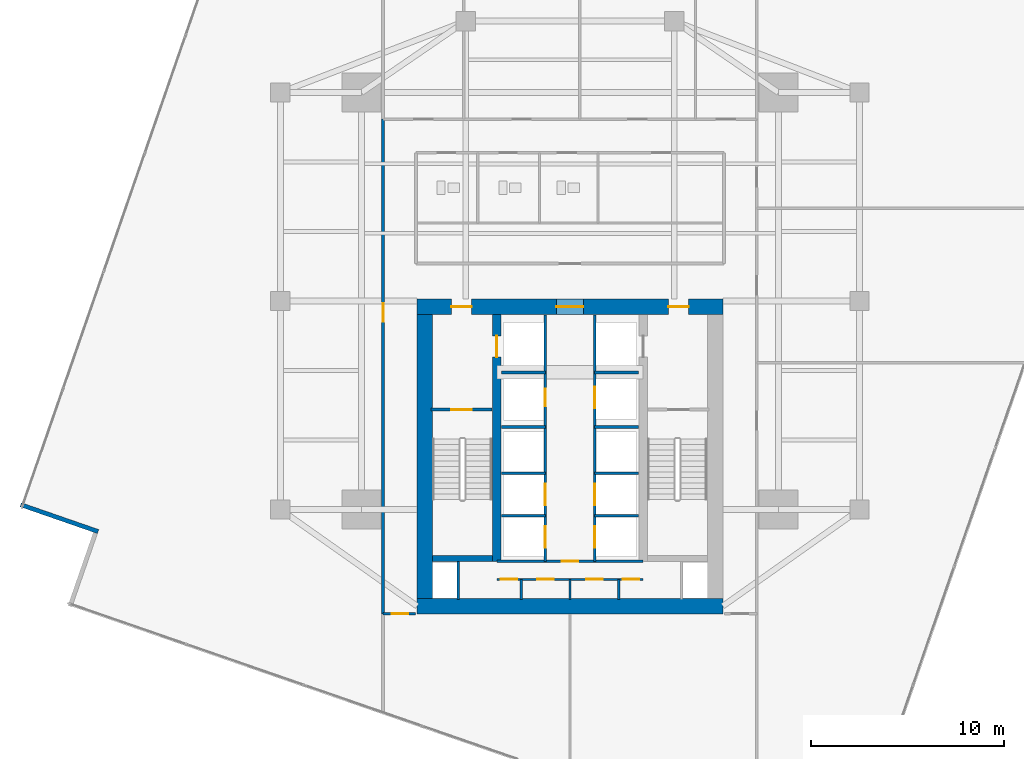
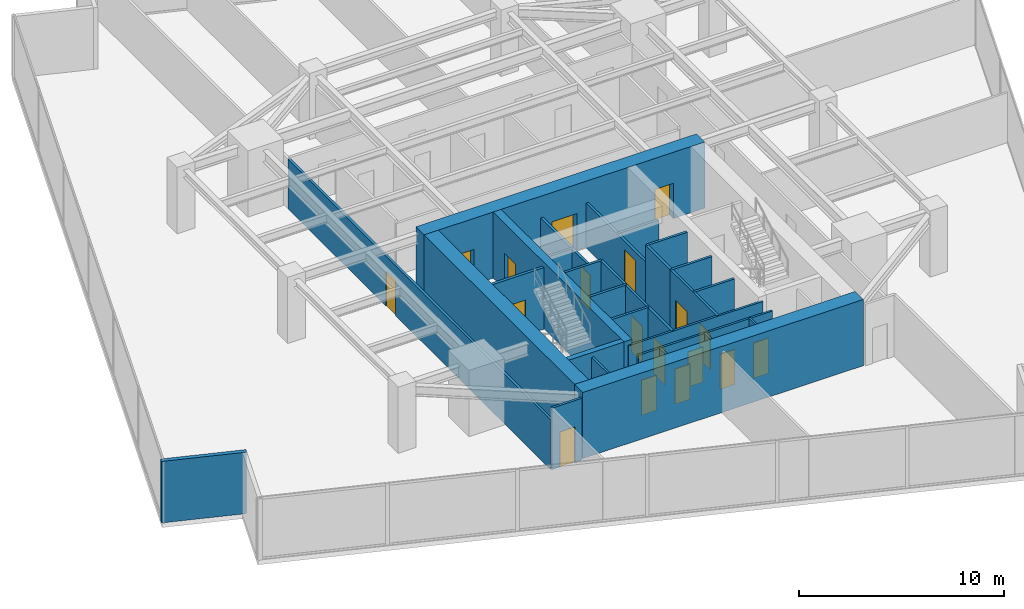
# One storey, part 23 of 27: 29 walls, 18 doors, 18 openings.
"""IFC4 building model written with IfcOpenShell, lengths in metres."""

from ifc_helpers import new_model, si_unit, direction, frame, frame_2d, origin, place, context, subcontext, project, spatial, rectangle, extrude, material, layer, layer_set, type_object, element, fill, save


model = new_model("IFC4")

# Units and contexts
model_context = context("Model", 3, precision=1e-05, world=origin(), true_north=direction((0.0, 1.0)))
body_context = subcontext(model_context, "Body", "Model", "MODEL_VIEW")
ifc_project = project(units=[si_unit("LENGTHUNIT", "METRE"), si_unit("AREAUNIT", "SQUARE_METRE"), si_unit("VOLUMEUNIT", "CUBIC_METRE"), si_unit("PLANEANGLEUNIT", "RADIAN"), si_unit("MASSUNIT", "GRAM", prefix="KILO")], contexts=[model_context])

# Site, building, storey
site_placement = place(None, origin())
site = spatial("IfcSite", under=ifc_project, at=site_placement, CompositionType="ELEMENT")
building_placement = place(site_placement, origin())
building = spatial("IfcBuilding", under=site, at=building_placement, Name="Krantzveldt Concourse Tower", CompositionType="ELEMENT")
storey_placement = place(building_placement, frame((0.0, 0.0, 125.60009765625)))
storey = spatial("IfcBuildingStorey", under=building, at=storey_placement, Name="L30", CompositionType="ELEMENT", Elevation=125.60009765625)

# Wall
ifc_material_1 = material(Name="Anodised aluminium 6063-T6", Category="aluminium")
ifc_layer_1 = layer(ifc_material_1, 0.219970703125, Name="Anodised aluminium 6063-T6", Category="aluminium")
ifc_layer_set_1 = layer_set([ifc_layer_1], Name="Anodised aluminium 6063-T6 (WL-EXT-NOTCH220)")
wall_type_1 = type_object("IfcWallType", Name="WL-EXT-NOTCH220", PredefinedType="ELEMENTEDWALL", material=ifc_layer_set_1)
wall_1_placement = place(storey_placement, frame((7.5478515625, 16.1494140625, 0.0), z_axis=(0.0, 0.0, 1.0), x_axis=(0.944801308279, -0.327643843028, 0.0)))
element("IfcWall", 1, at=wall_1_placement, inside=storey, type_object=wall_type_1, Name="EW-L30-NCH02", PredefinedType="ELEMENTEDWALL", context=body_context, shape_type="SweptSolid", body=[
    extrude(rectangle(XDim=4.2451171875, YDim=0.219970703125, at=frame_2d((2.12255859375, 0.0))), origin(), (0.0, 0.0, 1.0), 3.669921875),
])

# Wall, opening, door
ifc_material_2 = material(Name="Fire-rated gypsum plasterboard on steel stud", Category="steel")
ifc_layer_2 = layer(ifc_material_2, 0.1201171875, Name="Fire-rated gypsum plasterboard on steel stud", Category="steel")
ifc_layer_set_2 = layer_set([ifc_layer_2], Name="Fire-rated gypsum plasterboard on steel stud (WL-PART-120)")
wall_type_2 = type_object("IfcWallType", Name="WL-PART-120", PredefinedType="PARTITIONING", material=ifc_layer_set_2)
wall_2_placement = place(storey_placement, frame((32.2099609375, 13.219970703125, 0.0), z_axis=(0.0, 0.0, 1.0), x_axis=(1.0, 0.0, 0.0)))
wall_2 = element("IfcWall", 2, at=wall_2_placement, inside=storey, type_object=wall_type_2, Name="WP-L30-CS2H", PredefinedType="PARTITIONING", context=body_context, shape_type="SweptSolid", body=[
    extrude(rectangle(XDim=7.580078125, YDim=0.1201171875, at=frame_2d((3.7900390625, 0.0))), origin(), (0.0, 0.0, 1.0), 3.669921875),
])
opening_1_placement = place(wall_2_placement, frame((3.364990234375, 0.0, 0.0)))
opening_1 = element("IfcOpeningElement", 3, at=opening_1_placement, cuts=wall_2, Name="Opening D-IN085", PredefinedType="OPENING", context=body_context, shape_type="SweptSolid", body=[
    extrude(rectangle(XDim=0.85009765625, YDim=2.10009765625, at=frame_2d((0.425048828125, 1.050048828125))), frame((0.0, 0.070068359375, 0.0), z_axis=(0.0, -1.0, 0.0), x_axis=(1.0, 0.0, 0.0)), (0.0, 0.0, 1.0), 0.14013671875),
])
ifc_material_3 = material(Name="Hardwood timber", Category="wood")
door_type_1 = type_object("IfcDoorType", Name="DR-INT-850", OperationType="SINGLE_SWING_LEFT", PredefinedType="DOOR", material=ifc_material_3)
door_1_placement = place(opening_1_placement, origin())
door_1 = element("IfcDoor", 4, at=door_1_placement, inside=storey, type_object=door_type_1, Name="DR-L30-LLBS", OperationType="SINGLE_SWING_RIGHT", OverallHeight=2.10009765625, OverallWidth=0.85009765625, PredefinedType="DOOR", context=body_context, shape_type="SweptSolid", body=[
    extrude(rectangle(XDim=0.85009765625, YDim=2.10009765625, at=frame_2d((0.425048828125, 1.050048828125))), frame((0.0, 0.02490234375, 0.0), z_axis=(0.0, -1.0, 0.0), x_axis=(1.0, 0.0, 0.0)), (0.0, 0.0, 1.0), 0.050048828125),
])
fill(opening_1, door_1)

# Wall, openings, doors
wall_3_placement = place(storey_placement, frame((32.2099609375, 12.280029296875, 0.0), z_axis=(0.0, 0.0, 1.0), x_axis=(1.0, 0.0, 0.0)))
wall_3 = element("IfcWall", 5, at=wall_3_placement, inside=storey, type_object=wall_type_2, Name="WP-L30-CSD-HM", PredefinedType="PARTITIONING", context=body_context, shape_type="SweptSolid", body=[
    extrude(rectangle(XDim=7.580078125, YDim=0.1201171875, at=frame_2d((3.7900390625, 0.0))), origin(), (0.0, 0.0, 1.0), 3.669921875),
])
opening_2_placement = place(wall_3_placement, frame((0.205078125, 0.0, 0.0)))
opening_2 = element("IfcOpeningElement", 6, at=opening_2_placement, cuts=wall_3, Name="Opening D-IN085", PredefinedType="OPENING", context=body_context, shape_type="SweptSolid", body=[
    extrude(rectangle(XDim=0.85009765625, YDim=2.10009765625, at=frame_2d((0.425048828125, 1.050048828125))), frame((0.0, 0.070068359375, 0.0), z_axis=(0.0, -1.0, 0.0), x_axis=(1.0, 0.0, 0.0)), (0.0, 0.0, 1.0), 0.14013671875),
])
opening_3_placement = place(wall_3_placement, frame((2.094970703125, 0.0, 0.0)))
opening_3 = element("IfcOpeningElement", 7, at=opening_3_placement, cuts=wall_3, Name="Opening D-IN085", PredefinedType="OPENING", context=body_context, shape_type="SweptSolid", body=[
    extrude(rectangle(XDim=0.85009765625, YDim=2.10009765625, at=frame_2d((0.425048828125, 1.050048828125))), frame((0.0, 0.070068359375, 0.0), z_axis=(0.0, -1.0, 0.0), x_axis=(1.0, 0.0, 0.0)), (0.0, 0.0, 1.0), 0.14013671875),
])
opening_4_placement = place(wall_3_placement, frame((4.635009765625, 0.0, 0.0)))
opening_4 = element("IfcOpeningElement", 8, at=opening_4_placement, cuts=wall_3, Name="Opening D-IN085", PredefinedType="OPENING", context=body_context, shape_type="SweptSolid", body=[
    extrude(rectangle(XDim=0.85009765625, YDim=2.10009765625, at=frame_2d((0.425048828125, 1.050048828125))), frame((0.0, 0.070068359375, 0.0), z_axis=(0.0, -1.0, 0.0), x_axis=(1.0, 0.0, 0.0)), (0.0, 0.0, 1.0), 0.14013671875),
])
opening_5_placement = place(wall_3_placement, frame((6.52490234375, 0.0, 0.0)))
opening_5 = element("IfcOpeningElement", 9, at=opening_5_placement, cuts=wall_3, Name="Opening D-IN085", PredefinedType="OPENING", context=body_context, shape_type="SweptSolid", body=[
    extrude(rectangle(XDim=0.85009765625, YDim=2.10009765625, at=frame_2d((0.425048828125, 1.050048828125))), frame((0.0, 0.070068359375, 0.0), z_axis=(0.0, -1.0, 0.0), x_axis=(1.0, 0.0, 0.0)), (0.0, 0.0, 1.0), 0.14013671875),
])
door_2_placement = place(opening_2_placement, origin())
door_2 = element("IfcDoor", 10, at=door_2_placement, inside=storey, type_object=door_type_1, Name="DR-L30-CSD1", OperationType="SINGLE_SWING_RIGHT", OverallHeight=2.10009765625, OverallWidth=0.85009765625, PredefinedType="DOOR", context=body_context, shape_type="SweptSolid", body=[
    extrude(rectangle(XDim=0.85009765625, YDim=2.10009765625, at=frame_2d((0.425048828125, 1.050048828125))), frame((0.0, 0.02490234375, 0.0), z_axis=(0.0, -1.0, 0.0), x_axis=(1.0, 0.0, 0.0)), (0.0, 0.0, 1.0), 0.050048828125),
])
fill(opening_2, door_2)
door_3_placement = place(opening_3_placement, origin())
door_3 = element("IfcDoor", 11, at=door_3_placement, inside=storey, type_object=door_type_1, Name="DR-L30-CSD2", OperationType="SINGLE_SWING_RIGHT", OverallHeight=2.10009765625, OverallWidth=0.85009765625, PredefinedType="DOOR", context=body_context, shape_type="SweptSolid", body=[
    extrude(rectangle(XDim=0.85009765625, YDim=2.10009765625, at=frame_2d((0.425048828125, 1.050048828125))), frame((0.0, 0.02490234375, 0.0), z_axis=(0.0, -1.0, 0.0), x_axis=(1.0, 0.0, 0.0)), (0.0, 0.0, 1.0), 0.050048828125),
])
fill(opening_3, door_3)
door_4_placement = place(opening_4_placement, origin())
door_4 = element("IfcDoor", 12, at=door_4_placement, inside=storey, type_object=door_type_1, Name="DR-L30-CSD3", OperationType="SINGLE_SWING_RIGHT", OverallHeight=2.10009765625, OverallWidth=0.85009765625, PredefinedType="DOOR", context=body_context, shape_type="SweptSolid", body=[
    extrude(rectangle(XDim=0.85009765625, YDim=2.10009765625, at=frame_2d((0.425048828125, 1.050048828125))), frame((0.0, 0.02490234375, 0.0), z_axis=(0.0, -1.0, 0.0), x_axis=(1.0, 0.0, 0.0)), (0.0, 0.0, 1.0), 0.050048828125),
])
fill(opening_4, door_4)
door_5_placement = place(opening_5_placement, origin())
door_5 = element("IfcDoor", 13, at=door_5_placement, inside=storey, type_object=door_type_1, Name="DR-L30-CSD4", OperationType="SINGLE_SWING_RIGHT", OverallHeight=2.10009765625, OverallWidth=0.85009765625, PredefinedType="DOOR", context=body_context, shape_type="SweptSolid", body=[
    extrude(rectangle(XDim=0.85009765625, YDim=2.10009765625, at=frame_2d((0.425048828125, 1.050048828125))), frame((0.0, 0.02490234375, 0.0), z_axis=(0.0, -1.0, 0.0), x_axis=(1.0, 0.0, 0.0)), (0.0, 0.0, 1.0), 0.050048828125),
])
fill(opening_5, door_5)

# Walls
for number, where, z_axis, x_axis, name in (
    (14, (33.469970703125, 11.25, 0.0), (0.0, 0.0, 1.0), (0.0, 1.0, 0.0), "WP-L30-CSD-V1"),
    (15, (36.0, 11.25, 0.0), (0.0, 0.0, 1.0), (0.0, 1.0, 0.0), "WP-L30-CSD-V2"),
    (16, (38.530029296875, 11.25, 0.0), (0.0, 0.0, 1.0), (0.0, 1.0, 0.0), "WP-L30-CSD-V3"),
):
    element("IfcWall", number, at=place(storey_placement, frame(where, z_axis=z_axis, x_axis=x_axis)), inside=storey, type_object=wall_type_2, Name=name, PredefinedType="PARTITIONING", context=body_context, shape_type="SweptSolid", body=[
        extrude(rectangle(XDim=1.030029296875, YDim=0.1201171875, at=frame_2d((0.51513671875, 0.0))), origin(), (0.0, 0.0, 1.0), 3.669921875),
    ])

# Wall, opening, door
ifc_layer_3 = layer(ifc_material_2, 0.139892578125, Name="Fire-rated gypsum plasterboard on steel stud", Category="steel")
ifc_layer_set_3 = layer_set([ifc_layer_3], Name="Fire-rated gypsum plasterboard on steel stud (WL-PART-140)")
wall_type_3 = type_object("IfcWallType", Name="WL-PART-140", PredefinedType="PARTITIONING", material=ifc_layer_set_3)
wall_4_placement = place(storey_placement, frame((26.320068359375, 10.5, 0.0), z_axis=(0.0, 0.0, 1.0), x_axis=(0.0, 1.0, 0.0)))
wall_4 = element("IfcWall", 17, at=wall_4_placement, inside=storey, type_object=wall_type_3, Name="WP-L30-CWEST", PredefinedType="PARTITIONING", context=body_context, shape_type="SweptSolid", body=[
    extrude(rectangle(XDim=25.6201171875, YDim=0.139892578125, at=frame_2d((12.81005859375, 0.0))), origin(), (0.0, 0.0, 1.0), 2.969970703125),
])
opening_6_placement = place(wall_4_placement, frame((15.125, 0.0, 0.0)))
opening_6 = element("IfcOpeningElement", 18, at=opening_6_placement, cuts=wall_4, Name="Opening D-IN095", PredefinedType="OPENING", context=body_context, shape_type="SweptSolid", body=[
    extrude(rectangle(XDim=0.949951171875, YDim=2.10009765625, at=frame_2d((0.47509765625, 1.050048828125))), frame((0.0, 0.080078125, 0.0), z_axis=(0.0, -1.0, 0.0), x_axis=(1.0, 0.0, 0.0)), (0.0, 0.0, 1.0), 0.159912109375),
])
door_type_2 = type_object("IfcDoorType", Name="DR-INT-950", OperationType="SINGLE_SWING_LEFT", PredefinedType="DOOR", material=ifc_material_3)
door_6_placement = place(opening_6_placement, origin())
door_6 = element("IfcDoor", 19, at=door_6_placement, inside=storey, type_object=door_type_2, Name="DR-L30-WR1", OperationType="SINGLE_SWING_LEFT", OverallHeight=2.10009765625, OverallWidth=0.949951171875, PredefinedType="DOOR", context=body_context, shape_type="SweptSolid", body=[
    extrude(rectangle(XDim=0.949951171875, YDim=2.10009765625, at=frame_2d((0.47509765625, 1.050048828125))), frame((0.0, 0.02490234375, 0.0), z_axis=(0.0, -1.0, 0.0), x_axis=(1.0, 0.0, 0.0)), (0.0, 0.0, 1.0), 0.050048828125),
])
fill(opening_6, door_6)

wall_5_placement = place(storey_placement, frame((26.320068359375, 10.5, 0.0), z_axis=(0.0, 0.0, 1.0), x_axis=(1.0, 0.0, 0.0)))
wall_5 = element("IfcWall", 20, at=wall_5_placement, inside=storey, type_object=wall_type_3, Name="WP-L30-CWBOT", PredefinedType="PARTITIONING", context=body_context, shape_type="SweptSolid", body=[
    extrude(rectangle(XDim=1.679931640625, YDim=0.139892578125, at=frame_2d((0.83984375, 0.0))), origin(), (0.0, 0.0, 1.0), 3.669921875),
])
opening_7_placement = place(wall_5_placement, frame((0.445068359375, 0.0, 0.0)))
opening_7 = element("IfcOpeningElement", 21, at=opening_7_placement, cuts=wall_5, Name="Opening D-IN085", PredefinedType="OPENING", context=body_context, shape_type="SweptSolid", body=[
    extrude(rectangle(XDim=0.85009765625, YDim=2.10009765625, at=frame_2d((0.425048828125, 1.050048828125))), frame((0.0, 0.080078125, 0.0), z_axis=(0.0, -1.0, 0.0), x_axis=(1.0, 0.0, 0.0)), (0.0, 0.0, 1.0), 0.159912109375),
])
door_7_placement = place(opening_7_placement, origin())
door_7 = element("IfcDoor", 22, at=door_7_placement, inside=storey, type_object=door_type_1, Name="DR-L30-SR1", OperationType="SINGLE_SWING_LEFT", OverallHeight=2.10009765625, OverallWidth=0.85009765625, PredefinedType="DOOR", context=body_context, shape_type="SweptSolid", body=[
    extrude(rectangle(XDim=0.85009765625, YDim=2.10009765625, at=frame_2d((0.425048828125, 1.050048828125))), frame((0.0, 0.02490234375, 0.0), z_axis=(0.0, -1.0, 0.0), x_axis=(1.0, 0.0, 0.0)), (0.0, 0.0, 1.0), 0.050048828125),
])
fill(opening_7, door_7)

ifc_layer_4 = layer(ifc_material_2, 0.139892578125, Name="Fire-rated gypsum plasterboard on steel stud", Category="steel")
ifc_layer_set_4 = layer_set([ifc_layer_4], Name="Fire-rated gypsum plasterboard on steel stud (WL-PART-FR140)")
wall_type_4 = type_object("IfcWallType", Name="WL-PART-FR140", PredefinedType="PARTITIONING", material=ifc_layer_set_4)
wall_6_placement = place(storey_placement, frame((34.719970703125, 20.199951171875, 0.0), z_axis=(0.0, 0.0, 1.0), x_axis=(0.0, 1.0, 0.0)))
wall_6 = element("IfcWall", 23, at=wall_6_placement, inside=storey, type_object=wall_type_4, Name="WP-L30-SHNW", PredefinedType="PARTITIONING", context=body_context, shape_type="SweptSolid", body=[
    extrude(rectangle(XDim=5.780029296875, YDim=0.139892578125, at=frame_2d((2.89013671875, 0.0))), origin(), (0.0, 0.0, 1.0), 2.669921875),
])
opening_8_placement = place(wall_6_placement, frame((1.050048828125, 0.0, 0.0)))
opening_8 = element("IfcOpeningElement", 24, at=opening_8_placement, cuts=wall_6, Name="Opening D-FD090", PredefinedType="OPENING", context=body_context, shape_type="SweptSolid", body=[
    extrude(rectangle(XDim=0.89990234375, YDim=2.10009765625, at=frame_2d((0.449951171875, 1.050048828125))), frame((0.0, 0.080078125, 0.0), z_axis=(0.0, -1.0, 0.0), x_axis=(1.0, 0.0, 0.0)), (0.0, 0.0, 1.0), 0.159912109375),
])
door_type_3 = type_object("IfcDoorType", Name="DR-FD60-900", OperationType="SINGLE_SWING_LEFT", PredefinedType="DOOR", material=ifc_material_3)
door_8_placement = place(opening_8_placement, origin())
door_8 = element("IfcDoor", 25, at=door_8_placement, inside=storey, type_object=door_type_3, Name="Electrical Riser Access Door L30", OperationType="SINGLE_SWING_LEFT", OverallHeight=2.10009765625, OverallWidth=0.89990234375, PredefinedType="DOOR", context=body_context, shape_type="SweptSolid", body=[
    extrude(rectangle(XDim=0.89990234375, YDim=2.10009765625, at=frame_2d((0.449951171875, 1.050048828125))), frame((0.0, 0.02490234375, 0.0), z_axis=(0.0, -1.0, 0.0), x_axis=(1.0, 0.0, 0.0)), (0.0, 0.0, 1.0), 0.050048828125),
])
fill(opening_8, door_8)

wall_7_placement = place(storey_placement, frame((37.280029296875, 20.199951171875, 0.0), z_axis=(0.0, 0.0, 1.0), x_axis=(0.0, 1.0, 0.0)))
wall_7 = element("IfcWall", 26, at=wall_7_placement, inside=storey, type_object=wall_type_4, Name="WP-L30-SHNE", PredefinedType="PARTITIONING", context=body_context, shape_type="SweptSolid", body=[
    extrude(rectangle(XDim=5.780029296875, YDim=0.139892578125, at=frame_2d((2.89013671875, 0.0))), origin(), (0.0, 0.0, 1.0), 2.669921875),
])
opening_9_placement = place(wall_7_placement, frame((0.949951171875, 0.0, 0.0)))
opening_9 = element("IfcOpeningElement", 27, at=opening_9_placement, cuts=wall_7, Name="Opening LD", PredefinedType="OPENING", context=body_context, shape_type="SweptSolid", body=[
    extrude(rectangle(XDim=1.10009765625, YDim=2.14990234375, at=frame_2d((0.550048828125, 1.074951171875))), frame((0.0, 0.080078125, 0.0), z_axis=(0.0, -1.0, 0.0), x_axis=(1.0, 0.0, 0.0)), (0.0, 0.0, 1.0), 0.159912109375),
])
ifc_material_4 = material(Name="Stainless steel 316L", Category="steel")
door_type_4 = type_object("IfcDoorType", Name="DR-SLIDE-LD1100", OperationType="DOUBLE_DOOR_SLIDING", PredefinedType="DOOR", material=ifc_material_4)
door_9_placement = place(opening_9_placement, origin())
door_9 = element("IfcDoor", 28, at=door_9_placement, inside=storey, type_object=door_type_4, Name="LD-L30-GL1", OperationType="DOUBLE_DOOR_SLIDING", OverallHeight=2.14990234375, OverallWidth=1.10009765625, PredefinedType="DOOR", context=body_context, shape_type="SweptSolid", body=[
    extrude(rectangle(XDim=1.10009765625, YDim=2.14990234375, at=frame_2d((0.550048828125, 1.074951171875))), frame((0.0, 0.02490234375, 0.0), z_axis=(0.0, -1.0, 0.0), x_axis=(1.0, 0.0, 0.0)), (0.0, 0.0, 1.0), 0.050048828125),
])
fill(opening_9, door_9)

# Walls
for number, where, z_axis, x_axis, name in (
    (29, (32.449951171875, 23.0, 0.0), (0.0, 0.0, 1.0), (1.0, 0.0, 0.0), "WP-L30-RISH"),
    (30, (37.280029296875, 23.0, 0.0), (0.0, 0.0, 1.0), (1.0, 0.0, 0.0), "WP-L30-GLH"),
):
    element("IfcWall", number, at=place(storey_placement, frame(where, z_axis=z_axis, x_axis=x_axis)), inside=storey, type_object=wall_type_4, Name=name, PredefinedType="PARTITIONING", context=body_context, shape_type="SweptSolid", body=[
        extrude(rectangle(XDim=2.27001953125, YDim=0.139892578125, at=frame_2d((1.135009765625, 0.0))), origin(), (0.0, 0.0, 1.0), 2.669921875),
    ])
for number, where, z_axis, x_axis, name in (
    (31, (34.719970703125, 17.780029296875, 0.0), (0.0, 0.0, 1.0), (0.0, 1.0, 0.0), "WP-L30-SHNW2"),
    (32, (37.280029296875, 17.780029296875, 0.0), (0.0, 0.0, 1.0), (0.0, 1.0, 0.0), "WP-L30-SHNE2"),
):
    element("IfcWall", number, at=place(storey_placement, frame(where, z_axis=z_axis, x_axis=x_axis)), inside=storey, type_object=wall_type_4, Name=name, PredefinedType="PARTITIONING", context=body_context, shape_type="SweptSolid", body=[
        extrude(rectangle(XDim=2.419921875, YDim=0.139892578125, at=frame_2d((1.2099609375, 0.0))), origin(), (0.0, 0.0, 1.0), 3.669921875),
    ])
for number, where, z_axis, x_axis, name in (
    (33, (32.449951171875, 17.780029296875, 0.0), (0.0, 0.0, 1.0), (1.0, 0.0, 0.0), "WP-L30-DIVW2"),
    (34, (32.449951171875, 20.179931640625, 0.0), (0.0, 0.0, 1.0), (1.0, 0.0, 0.0), "WP-L30-DIVW3"),
    (35, (37.280029296875, 17.780029296875, 0.0), (0.0, 0.0, 1.0), (1.0, 0.0, 0.0), "WP-L30-DIVE2"),
    (36, (37.280029296875, 20.179931640625, 0.0), (0.0, 0.0, 1.0), (1.0, 0.0, 0.0), "WP-L30-DIVE3"),
):
    element("IfcWall", number, at=place(storey_placement, frame(where, z_axis=z_axis, x_axis=x_axis)), inside=storey, type_object=wall_type_4, Name=name, PredefinedType="PARTITIONING", context=body_context, shape_type="SweptSolid", body=[
        extrude(rectangle(XDim=2.27001953125, YDim=0.139892578125, at=frame_2d((1.135009765625, 0.0))), origin(), (0.0, 0.0, 1.0), 3.669921875),
    ])

# Wall, openings, doors
wall_8_placement = place(storey_placement, frame((34.719970703125, 13.219970703125, 0.0), z_axis=(0.0, 0.0, 1.0), x_axis=(0.0, 1.0, 0.0)))
wall_8 = element("IfcWall", 37, at=wall_8_placement, inside=storey, type_object=wall_type_4, Name="WP-L30-SHSW", PredefinedType="PARTITIONING", context=body_context, shape_type="SweptSolid", body=[
    extrude(rectangle(XDim=4.56005859375, YDim=0.139892578125, at=frame_2d((2.280029296875, 0.0))), origin(), (0.0, 0.0, 1.0), 3.669921875),
])
opening_10_placement = place(wall_8_placement, frame((0.7099609375, 0.0, 0.0)))
opening_10 = element("IfcOpeningElement", 38, at=opening_10_placement, cuts=wall_8, Name="Opening LD", PredefinedType="OPENING", context=body_context, shape_type="SweptSolid", body=[
    extrude(rectangle(XDim=1.10009765625, YDim=2.14990234375, at=frame_2d((0.550048828125, 1.074951171875))), frame((0.0, 0.080078125, 0.0), z_axis=(0.0, -1.0, 0.0), x_axis=(1.0, 0.0, 0.0)), (0.0, 0.0, 1.0), 0.159912109375),
])
opening_11_placement = place(wall_8_placement, frame((2.909912109375, 0.0, 0.0)))
opening_11 = element("IfcOpeningElement", 39, at=opening_11_placement, cuts=wall_8, Name="Opening LD", PredefinedType="OPENING", context=body_context, shape_type="SweptSolid", body=[
    extrude(rectangle(XDim=1.10009765625, YDim=2.14990234375, at=frame_2d((0.550048828125, 1.074951171875))), frame((0.0, 0.080078125, 0.0), z_axis=(0.0, -1.0, 0.0), x_axis=(1.0, 0.0, 0.0)), (0.0, 0.0, 1.0), 0.159912109375),
])
door_10_placement = place(opening_10_placement, origin())
door_10 = element("IfcDoor", 40, at=door_10_placement, inside=storey, type_object=door_type_4, Name="LD-L30-PL1", OperationType="DOUBLE_DOOR_SLIDING", OverallHeight=2.14990234375, OverallWidth=1.10009765625, PredefinedType="DOOR", context=body_context, shape_type="SweptSolid", body=[
    extrude(rectangle(XDim=1.10009765625, YDim=2.14990234375, at=frame_2d((0.550048828125, 1.074951171875))), frame((0.0, 0.02490234375, 0.0), z_axis=(0.0, -1.0, 0.0), x_axis=(1.0, 0.0, 0.0)), (0.0, 0.0, 1.0), 0.050048828125),
])
fill(opening_10, door_10)
door_11_placement = place(opening_11_placement, origin())
door_11 = element("IfcDoor", 41, at=door_11_placement, inside=storey, type_object=door_type_4, Name="LD-L30-PL2", OperationType="DOUBLE_DOOR_SLIDING", OverallHeight=2.14990234375, OverallWidth=1.10009765625, PredefinedType="DOOR", context=body_context, shape_type="SweptSolid", body=[
    extrude(rectangle(XDim=1.10009765625, YDim=2.14990234375, at=frame_2d((0.550048828125, 1.074951171875))), frame((0.0, 0.02490234375, 0.0), z_axis=(0.0, -1.0, 0.0), x_axis=(1.0, 0.0, 0.0)), (0.0, 0.0, 1.0), 0.050048828125),
])
fill(opening_11, door_11)

# Wall
wall_9_placement = place(storey_placement, frame((32.449951171875, 15.580078125, 0.0), z_axis=(0.0, 0.0, 1.0), x_axis=(1.0, 0.0, 0.0)))
element("IfcWall", 42, at=wall_9_placement, inside=storey, type_object=wall_type_4, Name="WP-L30-DIVW1", PredefinedType="PARTITIONING", context=body_context, shape_type="SweptSolid", body=[
    extrude(rectangle(XDim=2.27001953125, YDim=0.139892578125, at=frame_2d((1.135009765625, 0.0))), origin(), (0.0, 0.0, 1.0), 3.669921875),
])

# Wall, openings, doors
wall_10_placement = place(storey_placement, frame((37.280029296875, 13.219970703125, 0.0), z_axis=(0.0, 0.0, 1.0), x_axis=(0.0, 1.0, 0.0)))
wall_10 = element("IfcWall", 43, at=wall_10_placement, inside=storey, type_object=wall_type_4, Name="WP-L30-SHSE", PredefinedType="PARTITIONING", context=body_context, shape_type="SweptSolid", body=[
    extrude(rectangle(XDim=4.56005859375, YDim=0.139892578125, at=frame_2d((2.280029296875, 0.0))), origin(), (0.0, 0.0, 1.0), 3.669921875),
])
opening_12_placement = place(wall_10_placement, frame((0.7099609375, 0.0, 0.0)))
opening_12 = element("IfcOpeningElement", 44, at=opening_12_placement, cuts=wall_10, Name="Opening LD", PredefinedType="OPENING", context=body_context, shape_type="SweptSolid", body=[
    extrude(rectangle(XDim=1.10009765625, YDim=2.14990234375, at=frame_2d((0.550048828125, 1.074951171875))), frame((0.0, 0.080078125, 0.0), z_axis=(0.0, -1.0, 0.0), x_axis=(1.0, 0.0, 0.0)), (0.0, 0.0, 1.0), 0.159912109375),
])
opening_13_placement = place(wall_10_placement, frame((2.909912109375, 0.0, 0.0)))
opening_13 = element("IfcOpeningElement", 45, at=opening_13_placement, cuts=wall_10, Name="Opening LD", PredefinedType="OPENING", context=body_context, shape_type="SweptSolid", body=[
    extrude(rectangle(XDim=1.10009765625, YDim=2.14990234375, at=frame_2d((0.550048828125, 1.074951171875))), frame((0.0, 0.080078125, 0.0), z_axis=(0.0, -1.0, 0.0), x_axis=(1.0, 0.0, 0.0)), (0.0, 0.0, 1.0), 0.159912109375),
])
door_12_placement = place(opening_12_placement, origin())
door_12 = element("IfcDoor", 46, at=door_12_placement, inside=storey, type_object=door_type_4, Name="LD-L30-PM1", OperationType="DOUBLE_DOOR_SLIDING", OverallHeight=2.14990234375, OverallWidth=1.10009765625, PredefinedType="DOOR", context=body_context, shape_type="SweptSolid", body=[
    extrude(rectangle(XDim=1.10009765625, YDim=2.14990234375, at=frame_2d((0.550048828125, 1.074951171875))), frame((0.0, 0.02490234375, 0.0), z_axis=(0.0, -1.0, 0.0), x_axis=(1.0, 0.0, 0.0)), (0.0, 0.0, 1.0), 0.050048828125),
])
fill(opening_12, door_12)
door_13_placement = place(opening_13_placement, origin())
door_13 = element("IfcDoor", 47, at=door_13_placement, inside=storey, type_object=door_type_4, Name="LD-L30-PM2", OperationType="DOUBLE_DOOR_SLIDING", OverallHeight=2.14990234375, OverallWidth=1.10009765625, PredefinedType="DOOR", context=body_context, shape_type="SweptSolid", body=[
    extrude(rectangle(XDim=1.10009765625, YDim=2.14990234375, at=frame_2d((0.550048828125, 1.074951171875))), frame((0.0, 0.02490234375, 0.0), z_axis=(0.0, -1.0, 0.0), x_axis=(1.0, 0.0, 0.0)), (0.0, 0.0, 1.0), 0.050048828125),
])
fill(opening_13, door_13)

# Walls
wall_11_placement = place(storey_placement, frame((37.280029296875, 15.580078125, 0.0), z_axis=(0.0, 0.0, 1.0), x_axis=(1.0, 0.0, 0.0)))
element("IfcWall", 48, at=wall_11_placement, inside=storey, type_object=wall_type_4, Name="WP-L30-DIVE1", PredefinedType="PARTITIONING", context=body_context, shape_type="SweptSolid", body=[
    extrude(rectangle(XDim=2.27001953125, YDim=0.139892578125, at=frame_2d((1.135009765625, 0.0))), origin(), (0.0, 0.0, 1.0), 3.669921875),
])
wall_12_placement = place(storey_placement, frame((30.219970703125, 11.25, 0.0), z_axis=(0.0, 0.0, 1.0), x_axis=(0.0, 1.0, 0.0)))
element("IfcWall", 49, at=wall_12_placement, inside=storey, type_object=wall_type_4, Name="WP-L30-RSW", PredefinedType="PARTITIONING", context=body_context, shape_type="SweptSolid", body=[
    extrude(rectangle(XDim=1.969970703125, YDim=0.1201171875, at=frame_2d((0.98486328125, 0.0))), origin(), (0.0, 0.0, 1.0), 3.669921875),
])

# Wall, opening, door
ifc_layer_5 = layer(ifc_material_2, 0.159912109375, Name="Fire-rated gypsum plasterboard on steel stud", Category="steel")
ifc_layer_set_5 = layer_set([ifc_layer_5], Name="Fire-rated gypsum plasterboard on steel stud (WL-PART-FR160)")
wall_type_5 = type_object("IfcWallType", Name="WL-PART-FR160", PredefinedType="PARTITIONING", material=ifc_layer_set_5)
wall_13_placement = place(storey_placement, frame((28.800048828125, 21.080078125, 0.0), z_axis=(0.0, 0.0, 1.0), x_axis=(1.0, 0.0, 0.0)))
wall_13 = element("IfcWall", 50, at=wall_13_placement, inside=storey, type_object=wall_type_5, Name="WP-L30-ST1", PredefinedType="PARTITIONING", context=body_context, shape_type="SweptSolid", body=[
    extrude(rectangle(XDim=3.159912109375, YDim=0.159912109375, at=frame_2d((1.580078125, 0.0))), origin(), (0.0, 0.0, 1.0), 3.669921875),
])
opening_14_placement = place(wall_13_placement, frame((1.054931640625, 0.0, 0.0)))
opening_14 = element("IfcOpeningElement", 51, at=opening_14_placement, cuts=wall_13, Name="Opening D-FD105", PredefinedType="OPENING", context=body_context, shape_type="SweptSolid", body=[
    extrude(rectangle(XDim=1.050048828125, YDim=2.10009765625, at=frame_2d((0.52490234375, 1.050048828125))), frame((0.0, 0.08984375, 0.0), z_axis=(0.0, -1.0, 0.0), x_axis=(1.0, 0.0, 0.0)), (0.0, 0.0, 1.0), 0.179931640625),
])
ifc_material_5 = material(Name="Galvanised steel", Category="steel")
door_type_5 = type_object("IfcDoorType", Name="DR-FD120-1050", OperationType="SINGLE_SWING_LEFT", PredefinedType="DOOR", material=ifc_material_5)
door_14_placement = place(opening_14_placement, origin())
door_14 = element("IfcDoor", 52, at=door_14_placement, inside=storey, type_object=door_type_5, Name="DR-L30-ST1", OperationType="SINGLE_SWING_RIGHT", OverallHeight=2.10009765625, OverallWidth=1.050048828125, PredefinedType="DOOR", context=body_context, shape_type="SweptSolid", body=[
    extrude(rectangle(XDim=1.050048828125, YDim=2.10009765625, at=frame_2d((0.52490234375, 1.050048828125))), frame((0.0, 0.02490234375, 0.0), z_axis=(0.0, -1.0, 0.0), x_axis=(1.0, 0.0, 0.0)), (0.0, 0.0, 1.0), 0.050048828125),
])
fill(opening_14, door_14)

# Wall
ifc_material_6 = material(Name="Concrete C50/60", Category="concrete")
ifc_layer_6 = layer(ifc_material_6, 0.300048828125, Name="Concrete C50/60", Category="concrete")
ifc_layer_set_6 = layer_set([ifc_layer_6], Name="Concrete C50/60 (WL-SHEAR-300)")
wall_type_6 = type_object("IfcWallType", Name="WL-SHEAR-300", PredefinedType="SHEAR", material=ifc_layer_set_6)
wall_14_placement = place(storey_placement, frame((28.8798828125, 13.3701171875, 0.0), z_axis=(0.0, 0.0, 1.0), x_axis=(1.0, 0.0, 0.0)))
element("IfcWall", 53, at=wall_14_placement, inside=storey, type_object=wall_type_6, Name="CW-L30-ST1S", PredefinedType="SHEAR", context=body_context, shape_type="SweptSolid", body=[
    extrude(rectangle(XDim=3.10009765625, YDim=0.300048828125, at=frame_2d((1.550048828125, 0.0))), origin(), (0.0, 0.0, 1.0), 3.949951171875),
])

# Wall, opening, door
ifc_layer_7 = layer(ifc_material_6, 0.449951171875, Name="Concrete C50/60", Category="concrete")
ifc_layer_set_7 = layer_set([ifc_layer_7], Name="Concrete C50/60 (WL-SHEAR-450)")
wall_type_7 = type_object("IfcWallType", Name="WL-SHEAR-450", PredefinedType="SHEAR", material=ifc_layer_set_7)
wall_15_placement = place(storey_placement, frame((32.205078125, 13.219970703125, 0.0), z_axis=(0.0, 0.0, 1.0), x_axis=(0.0, 1.0, 0.0)))
wall_15 = element("IfcWall", 54, at=wall_15_placement, inside=storey, type_object=wall_type_7, Name="CW-L30-IW", PredefinedType="SHEAR", context=body_context, shape_type="SweptSolid", body=[
    extrude(rectangle(XDim=12.780029296875, YDim=0.449951171875, at=frame_2d((6.39013671875, 0.0))), origin(), (0.0, 0.0, 1.0), 3.949951171875),
])
opening_15_placement = place(wall_15_placement, frame((10.580078125, 0.0, 0.0)))
opening_15 = element("IfcOpeningElement", 55, at=opening_15_placement, cuts=wall_15, Name="Opening LD", PredefinedType="OPENING", context=body_context, shape_type="SweptSolid", body=[
    extrude(rectangle(XDim=1.10009765625, YDim=2.14990234375, at=frame_2d((0.550048828125, 1.074951171875))), frame((0.0, 0.23486328125, 0.0), z_axis=(0.0, -1.0, 0.0), x_axis=(1.0, 0.0, 0.0)), (0.0, 0.0, 1.0), 0.469970703125),
])
door_15_placement = place(opening_15_placement, origin())
door_15 = element("IfcDoor", 56, at=door_15_placement, inside=storey, type_object=door_type_4, Name="LD-L30-FL1", OperationType="DOUBLE_DOOR_SLIDING", OverallHeight=2.14990234375, OverallWidth=1.10009765625, PredefinedType="DOOR", context=body_context, shape_type="SweptSolid", body=[
    extrude(rectangle(XDim=1.10009765625, YDim=2.14990234375, at=frame_2d((0.550048828125, 1.074951171875))), frame((0.0, 0.02490234375, 0.0), z_axis=(0.0, -1.0, 0.0), x_axis=(1.0, 0.0, 0.0)), (0.0, 0.0, 1.0), 0.050048828125),
])
fill(opening_15, door_15)

# Wall
ifc_material_7 = material(Name="Concrete C60/75", Category="concrete")
ifc_layer_8 = layer(ifc_material_7, 0.800048828125, Name="Concrete C60/75", Category="concrete")
ifc_layer_set_8 = layer_set([ifc_layer_8], Name="Concrete C60/75 (WL-SHEAR-800)")
wall_type_8 = type_object("IfcWallType", Name="WL-SHEAR-800", PredefinedType="SHEAR", material=ifc_layer_set_8)
wall_16_placement = place(storey_placement, frame((28.080078125, 10.89990234375, 0.0), z_axis=(0.0, 0.0, 1.0), x_axis=(1.0, 0.0, 0.0)))
element("IfcWall", 57, at=wall_16_placement, inside=storey, type_object=wall_type_8, Name="CW-L30-S", PredefinedType="SHEAR", context=body_context, shape_type="SweptSolid", body=[
    extrude(rectangle(XDim=15.83984375, YDim=0.800048828125, at=frame_2d((7.919921875, 0.0))), origin(), (0.0, 0.0, 1.0), 3.949951171875),
])

# Wall, openings, doors
wall_17_placement = place(storey_placement, frame((28.080078125, 26.39990234375, 0.0), z_axis=(0.0, 0.0, 1.0), x_axis=(1.0, 0.0, 0.0)))
wall_17 = element("IfcWall", 58, at=wall_17_placement, inside=storey, type_object=wall_type_8, Name="CW-L30-N", PredefinedType="SHEAR", context=body_context, shape_type="SweptSolid", body=[
    extrude(rectangle(XDim=15.83984375, YDim=0.800048828125, at=frame_2d((7.919921875, 0.0))), origin(), (0.0, 0.0, 1.0), 3.949951171875),
])
opening_16_placement = place(wall_17_placement, frame((7.219970703125, 0.0, 0.0)))
opening_16 = element("IfcOpeningElement", 59, at=opening_16_placement, cuts=wall_17, Name="Opening D-DB140", PredefinedType="OPENING", context=body_context, shape_type="SweptSolid", body=[
    extrude(rectangle(XDim=1.39990234375, YDim=2.199951171875, at=frame_2d((0.699951171875, 1.10009765625))), frame((0.0, 0.41015625, 0.0), z_axis=(0.0, -1.0, 0.0), x_axis=(1.0, 0.0, 0.0)), (0.0, 0.0, 1.0), 0.820068359375),
])
opening_17_placement = place(wall_17_placement, frame((1.77490234375, 0.0, 0.0)))
opening_17 = element("IfcOpeningElement", 60, at=opening_17_placement, cuts=wall_17, Name="Opening D-FD105", PredefinedType="OPENING", context=body_context, shape_type="SweptSolid", body=[
    extrude(rectangle(XDim=1.050048828125, YDim=2.10009765625, at=frame_2d((0.52490234375, 1.050048828125))), frame((0.0, 0.41015625, 0.0), z_axis=(0.0, -1.0, 0.0), x_axis=(1.0, 0.0, 0.0)), (0.0, 0.0, 1.0), 0.820068359375),
])
opening_18_placement = place(wall_17_placement, frame((13.014892578125, 0.0, 0.0)))
opening_18 = element("IfcOpeningElement", 61, at=opening_18_placement, cuts=wall_17, Name="Opening D-FD105", PredefinedType="OPENING", context=body_context, shape_type="SweptSolid", body=[
    extrude(rectangle(XDim=1.050048828125, YDim=2.10009765625, at=frame_2d((0.52490234375, 1.050048828125))), frame((0.0, 0.41015625, 0.0), z_axis=(0.0, -1.0, 0.0), x_axis=(1.0, 0.0, 0.0)), (0.0, 0.0, 1.0), 0.820068359375),
])
door_type_6 = type_object("IfcDoorType", Name="DR-DBL-1400", OperationType="DOUBLE_DOOR_SINGLE_SWING", PredefinedType="DOOR", material=ifc_material_1)
door_16_placement = place(opening_16_placement, origin())
door_16 = element("IfcDoor", 62, at=door_16_placement, inside=storey, type_object=door_type_6, Name="DR-L30-LLB", OperationType="DOUBLE_DOOR_SINGLE_SWING", OverallHeight=2.199951171875, OverallWidth=1.39990234375, PredefinedType="DOOR", context=body_context, shape_type="SweptSolid", body=[
    extrude(rectangle(XDim=1.39990234375, YDim=2.199951171875, at=frame_2d((0.699951171875, 1.10009765625))), frame((0.0, 0.02490234375, 0.0), z_axis=(0.0, -1.0, 0.0), x_axis=(1.0, 0.0, 0.0)), (0.0, 0.0, 1.0), 0.050048828125),
])
fill(opening_16, door_16)
door_17_placement = place(opening_17_placement, origin())
door_17 = element("IfcDoor", 63, at=door_17_placement, inside=storey, type_object=door_type_5, Name="DR-L30-FFL1", OperationType="SINGLE_SWING_LEFT", OverallHeight=2.10009765625, OverallWidth=1.050048828125, PredefinedType="DOOR", context=body_context, shape_type="SweptSolid", body=[
    extrude(rectangle(XDim=1.050048828125, YDim=2.10009765625, at=frame_2d((0.52490234375, 1.050048828125))), frame((0.0, 0.02490234375, 0.0), z_axis=(0.0, -1.0, 0.0), x_axis=(1.0, 0.0, 0.0)), (0.0, 0.0, 1.0), 0.050048828125),
])
fill(opening_17, door_17)
door_18_placement = place(opening_18_placement, origin())
door_18 = element("IfcDoor", 64, at=door_18_placement, inside=storey, type_object=door_type_5, Name="DR-L30-FFL2", OperationType="SINGLE_SWING_RIGHT", OverallHeight=2.10009765625, OverallWidth=1.050048828125, PredefinedType="DOOR", context=body_context, shape_type="SweptSolid", body=[
    extrude(rectangle(XDim=1.050048828125, YDim=2.10009765625, at=frame_2d((0.52490234375, 1.050048828125))), frame((0.0, 0.02490234375, 0.0), z_axis=(0.0, -1.0, 0.0), x_axis=(1.0, 0.0, 0.0)), (0.0, 0.0, 1.0), 0.050048828125),
])
fill(opening_18, door_18)

# Wall
wall_18_placement = place(storey_placement, frame((28.47998046875, 11.300048828125, 0.0), z_axis=(0.0, 0.0, 1.0), x_axis=(0.0, 1.0, 0.0)))
element("IfcWall", 65, at=wall_18_placement, inside=storey, type_object=wall_type_8, Name="CW-L30-W", PredefinedType="SHEAR", context=body_context, shape_type="SweptSolid", body=[
    extrude(rectangle(XDim=14.699951171875, YDim=0.800048828125, at=frame_2d((7.35009765625, 0.0))), origin(), (0.0, 0.0, 1.0), 3.949951171875),
])

save(model, "model.ifc")
